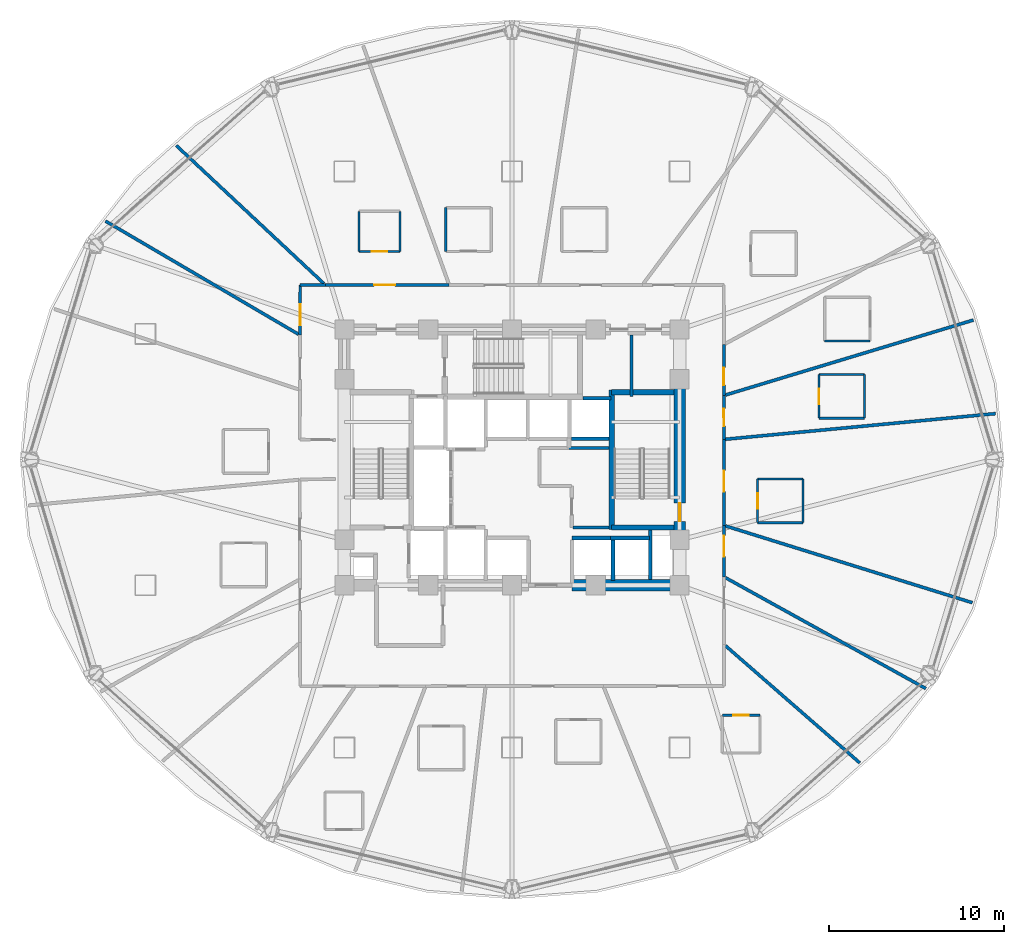
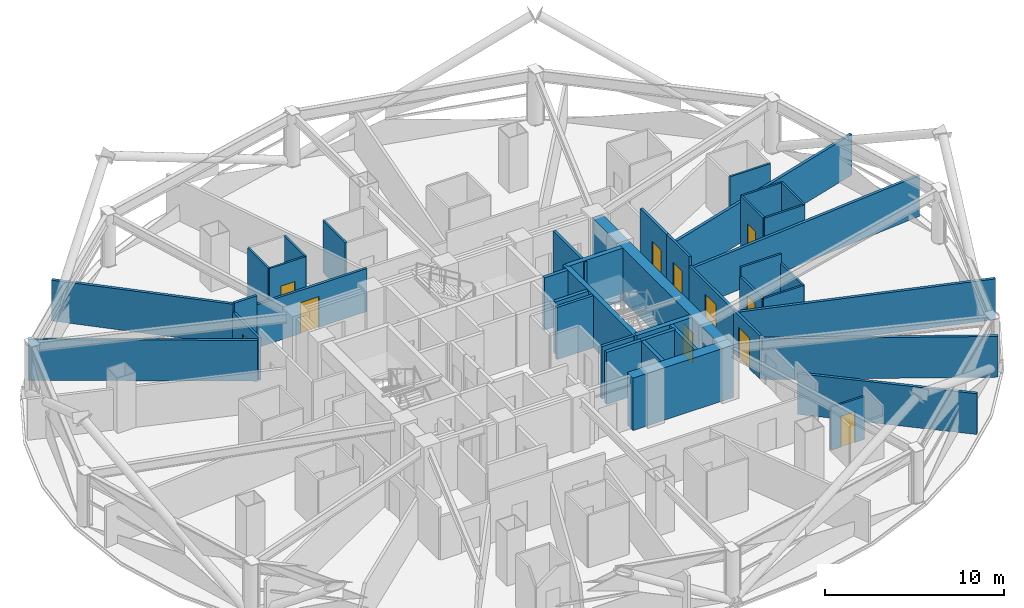
# One storey, part 24 of 30: 42 walls, 11 doors, 11 openings.
"""IFC4 building model written with IfcOpenShell, lengths in metres."""

from ifc_helpers import new_model, si_unit, direction, frame, frame_2d, origin, place, context, subcontext, project, spatial, rectangle, extrude, material, layer, layer_set, type_object, element, fill, save


model = new_model("IFC4")

# Units and contexts
model_context = context("Model", 3, precision=1e-05, world=origin(), true_north=direction((0.0, 1.0)))
body_context = subcontext(model_context, "Body", "Model", "MODEL_VIEW")
ifc_project = project(units=[si_unit("LENGTHUNIT", "METRE"), si_unit("AREAUNIT", "SQUARE_METRE"), si_unit("VOLUMEUNIT", "CUBIC_METRE"), si_unit("PLANEANGLEUNIT", "RADIAN"), si_unit("MASSUNIT", "GRAM", prefix="KILO")], contexts=[model_context])

# Site, building, storey
site_placement = place(None, origin())
site = spatial("IfcSite", under=ifc_project, at=site_placement, CompositionType="ELEMENT")
building_placement = place(site_placement, origin())
building = spatial("IfcBuilding", under=site, at=building_placement, Name="Vantalir Tower", CompositionType="ELEMENT")
storey_placement = place(building_placement, frame((0.0, 0.0, 79.5)))
storey = spatial("IfcBuildingStorey", under=building, at=storey_placement, Name="L19", CompositionType="ELEMENT", Elevation=79.5)

# Walls
ifc_material_1 = material(Name="Moisture-resistant en-suite partition", Category="gypsum")
ifc_layer_1 = layer(ifc_material_1, 0.125)
ifc_layer_set_1 = layer_set([ifc_layer_1], Name="Moisture-resistant en-suite partition")
wall_type_1 = type_object("IfcWallType", Name="WL-BATH-125", PredefinedType="PARTITIONING", material=ifc_layer_set_1)
for number, where, z_axis, x_axis, name in (
    (1, (49.077880859375, 27.366943359375, 0.0), (0.0, 0.0, 1.0), (1.0, 0.0, 0.0), "L19 En-suite 01 South Wall"),
    (2, (49.077880859375, 29.866943359375, 0.0), (0.0, 0.0, 1.0), (1.0, 0.0, 0.0), "L19 En-suite 01 North Wall"),
):
    element("IfcWall", number, at=place(storey_placement, frame(where, z_axis=z_axis, x_axis=x_axis)), inside=storey, type_object=wall_type_1, Name=name, PredefinedType="PARTITIONING", context=body_context, shape_type="SweptSolid", body=[
        extrude(rectangle(XDim=2.60009765625, YDim=0.125, at=frame_2d((1.300048828125, 0.0))), origin(), (0.0, 0.0, 1.0), 3.550048828125),
    ])

# Wall, opening, door
wall_1_placement = place(storey_placement, frame((49.077880859375, 27.366943359375, 0.0), z_axis=(0.0, 0.0, 1.0), x_axis=(0.0, 1.0, 0.0)))
wall_1 = element("IfcWall", 3, at=wall_1_placement, inside=storey, type_object=wall_type_1, Name="L19 En-suite 01 West Wall", PredefinedType="PARTITIONING", context=body_context, shape_type="SweptSolid", body=[
    extrude(rectangle(XDim=2.5, YDim=0.125, at=frame_2d((1.25, 0.0))), origin(), (0.0, 0.0, 1.0), 3.550048828125),
])
opening_1_placement = place(wall_1_placement, frame((0.800048828125, 0.0, 0.0)))
opening_1 = element("IfcOpeningElement", 4, at=opening_1_placement, cuts=wall_1, Name="Opening D-WC", PredefinedType="OPENING", context=body_context, shape_type="SweptSolid", body=[
    extrude(rectangle(XDim=0.89990234375, YDim=2.10009765625, at=frame_2d((0.449951171875, 1.050048828125))), frame((0.0, 0.072509765625, 0.0), z_axis=(0.0, -1.0, 0.0), x_axis=(1.0, 0.0, 0.0)), (0.0, 0.0, 1.0), 0.14501953125),
])
ifc_material_2 = material(Name="Moisture-resistant hardwood door", Category="wood")
door_type_1 = type_object("IfcDoorType", Name="DR-ENSUITE-900", OperationType="NOTDEFINED", PredefinedType="DOOR", material=ifc_material_2)
door_1_placement = place(opening_1_placement, frame((0.89990234375, 0.0, 0.0), z_axis=(0.0, 0.0, 1.0), x_axis=(-1.0, 0.0, 0.0)))
door_1 = element("IfcDoor", 5, at=door_1_placement, inside=storey, type_object=door_type_1, Name="L19 En-suite 01 Door", OperationType="SINGLE_SWING_LEFT", OverallHeight=2.10009765625, OverallWidth=0.89990234375, PredefinedType="DOOR", context=body_context, shape_type="SweptSolid", body=[
    extrude(rectangle(XDim=0.89990234375, YDim=2.10009765625, at=frame_2d((0.449951171875, 1.050048828125))), frame((0.0, 0.02490234375, 0.0), z_axis=(0.0, -1.0, 0.0), x_axis=(1.0, 0.0, 0.0)), (0.0, 0.0, 1.0), 0.050048828125),
])
fill(opening_1, door_1)

# Walls
wall_2_placement = place(storey_placement, frame((51.677978515625, 27.366943359375, 0.0), z_axis=(0.0, 0.0, 1.0), x_axis=(0.0, 1.0, 0.0)))
element("IfcWall", 6, at=wall_2_placement, inside=storey, type_object=wall_type_1, Name="L19 En-suite 01 East Wall", PredefinedType="PARTITIONING", context=body_context, shape_type="SweptSolid", body=[
    extrude(rectangle(XDim=2.5, YDim=0.125, at=frame_2d((1.25, 0.0))), origin(), (0.0, 0.0, 1.0), 3.550048828125),
])
wall_3_placement = place(storey_placement, frame((49.408935546875, 31.794921875, 0.0), z_axis=(0.0, 0.0, 1.0), x_axis=(1.0, 0.0, 0.0)))
element("IfcWall", 7, at=wall_3_placement, inside=storey, type_object=wall_type_1, Name="L19 En-suite 02 South Wall", PredefinedType="PARTITIONING", context=body_context, shape_type="SweptSolid", body=[
    extrude(rectangle(XDim=2.60009765625, YDim=0.125, at=frame_2d((1.300048828125, 0.0))), origin(), (0.0, 0.0, 1.0), 3.550048828125),
])
wall_4_placement = place(storey_placement, frame((27.708984375, 36.919921875, 0.0), z_axis=(0.0, 0.0, 1.0), x_axis=(0.0, 1.0, 0.0)))
element("IfcWall", 8, at=wall_4_placement, inside=storey, type_object=wall_type_1, Name="L19 En-suite 05 West Wall", PredefinedType="PARTITIONING", context=body_context, shape_type="SweptSolid", body=[
    extrude(rectangle(XDim=2.5, YDim=0.125, at=frame_2d((1.25, 0.0))), origin(), (0.0, 0.0, 1.0), 3.550048828125),
])

# Wall, opening, door
wall_5_placement = place(storey_placement, frame((22.742919921875, 36.9130859375, 0.0), z_axis=(0.0, 0.0, 1.0), x_axis=(1.0, 0.0, 0.0)))
wall_5 = element("IfcWall", 9, at=wall_5_placement, inside=storey, type_object=wall_type_1, Name="L19 En-suite 06 South Wall", PredefinedType="PARTITIONING", context=body_context, shape_type="SweptSolid", body=[
    extrude(rectangle(XDim=2.35009765625, YDim=0.125, at=frame_2d((1.175048828125, 0.0))), origin(), (0.0, 0.0, 1.0), 3.550048828125),
])
opening_2_placement = place(wall_5_placement, frame((0.72509765625, 0.0, 0.0)))
opening_2 = element("IfcOpeningElement", 10, at=opening_2_placement, cuts=wall_5, Name="Opening D-WC", PredefinedType="OPENING", context=body_context, shape_type="SweptSolid", body=[
    extrude(rectangle(XDim=0.89990234375, YDim=2.10009765625, at=frame_2d((0.449951171875, 1.050048828125))), frame((0.0, 0.072509765625, 0.0), z_axis=(0.0, -1.0, 0.0), x_axis=(1.0, 0.0, 0.0)), (0.0, 0.0, 1.0), 0.14501953125),
])
door_2_placement = place(opening_2_placement, origin())
door_2 = element("IfcDoor", 11, at=door_2_placement, inside=storey, type_object=door_type_1, Name="L19 En-suite 06 Door", OperationType="SINGLE_SWING_RIGHT", OverallHeight=2.10009765625, OverallWidth=0.89990234375, PredefinedType="DOOR", context=body_context, shape_type="SweptSolid", body=[
    extrude(rectangle(XDim=0.89990234375, YDim=2.10009765625, at=frame_2d((0.449951171875, 1.050048828125))), frame((0.0, 0.02490234375, 0.0), z_axis=(0.0, -1.0, 0.0), x_axis=(1.0, 0.0, 0.0)), (0.0, 0.0, 1.0), 0.050048828125),
])
fill(opening_2, door_2)

# Walls
for number, where, z_axis, x_axis, name in (
    (12, (22.742919921875, 36.9130859375, 0.0), (0.0, 0.0, 1.0), (0.0, 1.0, 0.0), "L19 En-suite 06 West Wall"),
    (13, (25.093017578125, 36.9130859375, 0.0), (0.0, 0.0, 1.0), (0.0, 1.0, 0.0), "L19 En-suite 06 East Wall"),
):
    element("IfcWall", number, at=place(storey_placement, frame(where, z_axis=z_axis, x_axis=x_axis)), inside=storey, type_object=wall_type_1, Name=name, PredefinedType="PARTITIONING", context=body_context, shape_type="SweptSolid", body=[
        extrude(rectangle(XDim=2.2998046875, YDim=0.125, at=frame_2d((1.14990234375, 0.0))), origin(), (0.0, 0.0, 1.0), 3.550048828125),
    ])

# Wall, opening, door
wall_6_placement = place(storey_placement, frame((43.544921875, 10.35205078125, 0.0), z_axis=(0.0, 0.0, 1.0), x_axis=(1.0, 0.0, 0.0)))
wall_6 = element("IfcWall", 14, at=wall_6_placement, inside=storey, type_object=wall_type_1, Name="L19 En-suite 16 North Wall", PredefinedType="PARTITIONING", context=body_context, shape_type="SweptSolid", body=[
    extrude(rectangle(XDim=2.150146484375, YDim=0.125, at=frame_2d((1.0751953125, 0.0))), origin(), (0.0, 0.0, 1.0), 2.927978515625),
])
opening_3_placement = place(wall_6_placement, frame((0.625, 0.0, 0.0)))
opening_3 = element("IfcOpeningElement", 15, at=opening_3_placement, cuts=wall_6, Name="Opening D-WC", PredefinedType="OPENING", context=body_context, shape_type="SweptSolid", body=[
    extrude(rectangle(XDim=0.89990234375, YDim=2.10009765625, at=frame_2d((0.449951171875, 1.050048828125))), frame((0.0, 0.072509765625, 0.0), z_axis=(0.0, -1.0, 0.0), x_axis=(1.0, 0.0, 0.0)), (0.0, 0.0, 1.0), 0.14501953125),
])
door_3_placement = place(opening_3_placement, frame((0.89990234375, 0.0, 0.0), z_axis=(0.0, 0.0, 1.0), x_axis=(-1.0, 0.0, 0.0)))
door_3 = element("IfcDoor", 16, at=door_3_placement, inside=storey, type_object=door_type_1, Name="L19 En-suite 16 Door", OperationType="SINGLE_SWING_RIGHT", OverallHeight=2.10009765625, OverallWidth=0.89990234375, PredefinedType="DOOR", context=body_context, shape_type="SweptSolid", body=[
    extrude(rectangle(XDim=0.89990234375, YDim=2.10009765625, at=frame_2d((0.449951171875, 1.050048828125))), frame((0.0, 0.02490234375, 0.0), z_axis=(0.0, -1.0, 0.0), x_axis=(1.0, 0.0, 0.0)), (0.0, 0.0, 1.0), 0.050048828125),
])
fill(opening_3, door_3)

# Walls
wall_7_placement = place(storey_placement, frame((45.56689453125, 21.3798828125, 0.0), z_axis=(0.0, 0.0, 1.0), x_axis=(1.0, 0.0, 0.0)))
element("IfcWall", 17, at=wall_7_placement, inside=storey, type_object=wall_type_1, Name="L19 En-suite 19 South Wall", PredefinedType="PARTITIONING", context=body_context, shape_type="SweptSolid", body=[
    extrude(rectangle(XDim=2.60009765625, YDim=0.125, at=frame_2d((1.300048828125, 0.0))), origin(), (0.0, 0.0, 1.0), 2.927978515625),
])
wall_8_placement = place(storey_placement, frame((45.56689453125, 23.8798828125, 0.0), z_axis=(0.0, 0.0, 1.0), x_axis=(1.0, 0.0, 0.0)))
element("IfcWall", 18, at=wall_8_placement, inside=storey, type_object=wall_type_1, Name="L19 En-suite 19 North Wall", PredefinedType="PARTITIONING", context=body_context, shape_type="SweptSolid", body=[
    extrude(rectangle(XDim=2.60009765625, YDim=0.125, at=frame_2d((1.300048828125, 0.0))), origin(), (0.0, 0.0, 1.0), 3.550048828125),
])

# Wall, opening, door
wall_9_placement = place(storey_placement, frame((45.56689453125, 21.3798828125, 0.0), z_axis=(0.0, 0.0, 1.0), x_axis=(0.0, 1.0, 0.0)))
wall_9 = element("IfcWall", 19, at=wall_9_placement, inside=storey, type_object=wall_type_1, Name="L19 En-suite 19 West Wall", PredefinedType="PARTITIONING", context=body_context, shape_type="SweptSolid", body=[
    extrude(rectangle(XDim=2.5, YDim=0.125, at=frame_2d((1.25, 0.0))), origin(), (0.0, 0.0, 1.0), 2.927978515625),
])
opening_4_placement = place(wall_9_placement, frame((0.800048828125, 0.0, 0.0)))
opening_4 = element("IfcOpeningElement", 20, at=opening_4_placement, cuts=wall_9, Name="Opening D-WC", PredefinedType="OPENING", context=body_context, shape_type="SweptSolid", body=[
    extrude(rectangle(XDim=0.89990234375, YDim=2.10009765625, at=frame_2d((0.449951171875, 1.050048828125))), frame((0.0, 0.072509765625, 0.0), z_axis=(0.0, -1.0, 0.0), x_axis=(1.0, 0.0, 0.0)), (0.0, 0.0, 1.0), 0.14501953125),
])
door_4_placement = place(opening_4_placement, frame((0.89990234375, 0.0, 0.0), z_axis=(0.0, 0.0, 1.0), x_axis=(-1.0, 0.0, 0.0)))
door_4 = element("IfcDoor", 21, at=door_4_placement, inside=storey, type_object=door_type_1, Name="L19 En-suite 19 Door", OperationType="SINGLE_SWING_LEFT", OverallHeight=2.10009765625, OverallWidth=0.89990234375, PredefinedType="DOOR", context=body_context, shape_type="SweptSolid", body=[
    extrude(rectangle(XDim=0.89990234375, YDim=2.10009765625, at=frame_2d((0.449951171875, 1.050048828125))), frame((0.0, 0.02490234375, 0.0), z_axis=(0.0, -1.0, 0.0), x_axis=(1.0, 0.0, 0.0)), (0.0, 0.0, 1.0), 0.050048828125),
])
fill(opening_4, door_4)

# Walls
wall_10_placement = place(storey_placement, frame((48.1669921875, 21.3798828125, 0.0), z_axis=(0.0, 0.0, 1.0), x_axis=(0.0, 1.0, 0.0)))
element("IfcWall", 22, at=wall_10_placement, inside=storey, type_object=wall_type_1, Name="L19 En-suite 19 East Wall", PredefinedType="PARTITIONING", context=body_context, shape_type="SweptSolid", body=[
    extrude(rectangle(XDim=2.5, YDim=0.125, at=frame_2d((1.25, 0.0))), origin(), (0.0, 0.0, 1.0), 2.927978515625),
])
ifc_material_3 = material(Name="Concrete C60/75", Category="concrete")
ifc_layer_2 = layer(ifc_material_3, 0.64990234375)
ifc_layer_set_2 = layer_set([ifc_layer_2], Name="Concrete C60/75")
wall_type_2 = type_object("IfcWallType", Name="WL-CORE-650", PredefinedType="SHEAR", material=ifc_layer_set_2)
wall_11_placement = place(storey_placement, frame((34.949951171875, 17.800048828125, 0.0), z_axis=(0.0, 0.0, 1.0), x_axis=(1.0, 0.0, 0.0)))
element("IfcWall", 23, at=wall_11_placement, inside=storey, type_object=wall_type_2, Name="L19 Core Shear Wall South-East", PredefinedType="SHEAR", context=body_context, shape_type="SweptSolid", body=[
    extrude(rectangle(XDim=6.47509765625, YDim=0.64990234375, at=frame_2d((3.237548828125, 0.0))), origin(), (0.0, 0.0, 1.0), 3.570068359375),
])

# Wall, opening, door
wall_12_placement = place(storey_placement, frame((41.10009765625, 18.125, 0.0), z_axis=(0.0, 0.0, 1.0), x_axis=(0.0, 1.0, 0.0)))
wall_12 = element("IfcWall", 24, at=wall_12_placement, inside=storey, type_object=wall_type_2, Name="L19 Core Shear Wall East", PredefinedType="SHEAR", context=body_context, shape_type="SweptSolid", body=[
    extrude(rectangle(XDim=14.0, YDim=0.64990234375, at=frame_2d((7.0, 0.0))), origin(), (0.0, 0.0, 1.0), 3.570068359375),
])
opening_5_placement = place(wall_12_placement, frame((3.3349609375, 0.0, 0.0)))
opening_5 = element("IfcOpeningElement", 25, at=opening_5_placement, cuts=wall_12, Name="Opening D-ST", PredefinedType="OPENING", context=body_context, shape_type="SweptSolid", body=[
    extrude(rectangle(XDim=1.050048828125, YDim=2.10009765625, at=frame_2d((0.52490234375, 1.050048828125))), frame((0.0, 0.3349609375, 0.0), z_axis=(0.0, -1.0, 0.0), x_axis=(1.0, 0.0, 0.0)), (0.0, 0.0, 1.0), 0.669921875),
])
ifc_material_4 = material(Name="Fire-rated steel door leaf", Category="steel")
door_type_2 = type_object("IfcDoorType", Name="DR-FIRE-STAIR-1050", OperationType="NOTDEFINED", PredefinedType="DOOR", material=ifc_material_4)
door_5_placement = place(opening_5_placement, origin())
door_5 = element("IfcDoor", 26, at=door_5_placement, inside=storey, type_object=door_type_2, Name="L19 Exit Stair ST2 Fire Door", OperationType="SINGLE_SWING_LEFT", OverallHeight=2.10009765625, OverallWidth=1.050048828125, PredefinedType="DOOR", context=body_context, shape_type="SweptSolid", body=[
    extrude(rectangle(XDim=1.050048828125, YDim=2.10009765625, at=frame_2d((0.52490234375, 1.050048828125))), frame((0.0, 0.02490234375, 0.0), z_axis=(0.0, -1.0, 0.0), x_axis=(1.0, 0.0, 0.0)), (0.0, 0.0, 1.0), 0.050048828125),
])
fill(opening_5, door_5)

ifc_material_5 = material(Name="Fire-rated hotel corridor acoustic partition", Category="gypsum")
ifc_layer_3 = layer(ifc_material_5, 0.159912109375)
ifc_layer_set_3 = layer_set([ifc_layer_3], Name="Fire-rated hotel corridor acoustic partition")
wall_type_3 = type_object("IfcWallType", Name="WL-CORR-160", PredefinedType="PARTITIONING", material=ifc_layer_set_3)
wall_13_placement = place(storey_placement, frame((19.362060546875, 32.118896484375, 0.0), z_axis=(0.0, 0.0, 1.0), x_axis=(0.002374283141, 0.999997181386, 0.0)))
wall_13 = element("IfcWall", 27, at=wall_13_placement, inside=storey, type_object=wall_type_3, Name="L19 Corridor Partition 04", PredefinedType="PARTITIONING", context=body_context, shape_type="SweptSolid", body=[
    extrude(rectangle(XDim=2.879150390625, YDim=0.159912109375, at=frame_2d((1.439453125, 0.0))), origin(), (0.0, 0.0, 1.0), 2.927978515625),
])
opening_6_placement = place(wall_13_placement, frame((0.568115234375, 0.0, 0.0)))
opening_6 = element("IfcOpeningElement", 28, at=opening_6_placement, cuts=wall_13, Name="Opening D-STE", PredefinedType="OPENING", context=body_context, shape_type="SweptSolid", body=[
    extrude(rectangle(XDim=1.199951171875, YDim=2.10009765625, at=frame_2d((0.60009765625, 1.050048828125))), frame((0.0, 0.08984375, 0.0), z_axis=(0.0, -1.0, 0.0), x_axis=(1.0, 0.0, 0.0)), (0.0, 0.0, 1.0), 0.179931640625),
])
ifc_material_6 = material(Name="Solid-core teak veneer suite entrance door", Category="wood")
door_type_3 = type_object("IfcDoorType", Name="DR-SUITE-ENTRY-1200", OperationType="NOTDEFINED", PredefinedType="DOOR", material=ifc_material_6)
door_6_placement = place(opening_6_placement, origin())
door_6 = element("IfcDoor", 29, at=door_6_placement, inside=storey, type_object=door_type_3, Name="L19 Club Reading Lounge 07 Door", OperationType="SINGLE_SWING_LEFT", OverallHeight=2.10009765625, OverallWidth=1.199951171875, PredefinedType="DOOR", context=body_context, shape_type="SweptSolid", body=[
    extrude(rectangle(XDim=1.199951171875, YDim=2.10009765625, at=frame_2d((0.60009765625, 1.050048828125))), frame((0.0, 0.02490234375, 0.0), z_axis=(0.0, -1.0, 0.0), x_axis=(1.0, 0.0, 0.0)), (0.0, 0.0, 1.0), 0.050048828125),
])
fill(opening_6, door_6)

# Wall
wall_14_placement = place(storey_placement, frame((19.368896484375, 34.998046875, 0.0), z_axis=(0.0, 0.0, 1.0), x_axis=(1.0, 0.0, 0.0)))
element("IfcWall", 30, at=wall_14_placement, inside=storey, type_object=wall_type_3, Name="L19 Corridor Partition 05", PredefinedType="PARTITIONING", context=body_context, shape_type="SweptSolid", body=[
    extrude(rectangle(XDim=1.442138671875, YDim=0.159912109375, at=frame_2d((0.72119140625, 0.0))), origin(), (0.0, 0.0, 1.0), 3.550048828125),
])

# Wall, opening, door
wall_15_placement = place(storey_placement, frame((20.81103515625, 34.998046875, 0.0), z_axis=(0.0, 0.0, 1.0), x_axis=(1.0, 0.0, 0.0)))
wall_15 = element("IfcWall", 31, at=wall_15_placement, inside=storey, type_object=wall_type_3, Name="L19 Corridor Partition 06", PredefinedType="PARTITIONING", context=body_context, shape_type="SweptSolid", body=[
    extrude(rectangle(XDim=7.092041015625, YDim=0.159912109375, at=frame_2d((3.5458984375, 0.0))), origin(), (0.0, 0.0, 1.0), 2.927978515625),
])
opening_7_placement = place(wall_15_placement, frame((2.799072265625, 0.0, 0.0)))
opening_7 = element("IfcOpeningElement", 32, at=opening_7_placement, cuts=wall_15, Name="Opening D-STE", PredefinedType="OPENING", context=body_context, shape_type="SweptSolid", body=[
    extrude(rectangle(XDim=1.199951171875, YDim=2.10009765625, at=frame_2d((0.60009765625, 1.050048828125))), frame((0.0, 0.08984375, 0.0), z_axis=(0.0, -1.0, 0.0), x_axis=(1.0, 0.0, 0.0)), (0.0, 0.0, 1.0), 0.179931640625),
])
door_7_placement = place(opening_7_placement, origin())
door_7 = element("IfcDoor", 33, at=door_7_placement, inside=storey, type_object=door_type_3, Name="L19 Corner Panorama Hotel Suite 06 Door", OperationType="SINGLE_SWING_RIGHT", OverallHeight=2.10009765625, OverallWidth=1.199951171875, PredefinedType="DOOR", context=body_context, shape_type="SweptSolid", body=[
    extrude(rectangle(XDim=1.199951171875, YDim=2.10009765625, at=frame_2d((0.60009765625, 1.050048828125))), frame((0.0, 0.02490234375, 0.0), z_axis=(0.0, -1.0, 0.0), x_axis=(1.0, 0.0, 0.0)), (0.0, 0.0, 1.0), 0.050048828125),
])
fill(opening_7, door_7)

wall_16_placement = place(storey_placement, frame((43.634033203125, 31.5849609375, 0.0), z_axis=(0.0, 0.0, 1.0), x_axis=(0.000669567978, -0.999999775839, 0.0)))
wall_16 = element("IfcWall", 34, at=wall_16_placement, inside=storey, type_object=wall_type_3, Name="L19 Corridor Partition 11", PredefinedType="PARTITIONING", context=body_context, shape_type="SweptSolid", body=[
    extrude(rectangle(XDim=2.9169921875, YDim=0.159912109375, at=frame_2d((1.45849609375, 0.0))), origin(), (0.0, 0.0, 1.0), 3.550048828125),
])
opening_8_placement = place(wall_16_placement, frame((1.321044921875, 0.0, 0.0)))
opening_8 = element("IfcOpeningElement", 35, at=opening_8_placement, cuts=wall_16, Name="Opening D-GUEST", PredefinedType="OPENING", context=body_context, shape_type="SweptSolid", body=[
    extrude(rectangle(XDim=1.0, YDim=2.10009765625, at=frame_2d((0.5, 1.050048828125))), frame((0.0, 0.08984375, 0.0), z_axis=(0.0, -1.0, 0.0), x_axis=(1.0, 0.0, 0.0)), (0.0, 0.0, 1.0), 0.179931640625),
])
ifc_material_7 = material(Name="Solid-core teak veneer acoustic fire door", Category="wood")
door_type_4 = type_object("IfcDoorType", Name="DR-GUEST-ENTRY-1000", OperationType="NOTDEFINED", PredefinedType="DOOR", material=ifc_material_7)
door_8_placement = place(opening_8_placement, origin())
door_8 = element("IfcDoor", 36, at=door_8_placement, inside=storey, type_object=door_type_4, Name="L19 Deluxe King Hotel Room 02 Door", OperationType="SINGLE_SWING_RIGHT", OverallHeight=2.10009765625, OverallWidth=1.0, PredefinedType="DOOR", context=body_context, shape_type="SweptSolid", body=[
    extrude(rectangle(XDim=1.0, YDim=2.10009765625, at=frame_2d((0.5, 1.050048828125))), frame((0.0, 0.02490234375, 0.0), z_axis=(0.0, -1.0, 0.0), x_axis=(1.0, 0.0, 0.0)), (0.0, 0.0, 1.0), 0.050048828125),
])
fill(opening_8, door_8)

wall_17_placement = place(storey_placement, frame((43.635986328125, 28.66796875, 0.0), z_axis=(0.0, 0.0, 1.0), x_axis=(0.00077632194, -0.999999698662, 0.0)))
wall_17 = element("IfcWall", 37, at=wall_17_placement, inside=storey, type_object=wall_type_3, Name="L19 Corridor Partition 12", PredefinedType="PARTITIONING", context=body_context, shape_type="SweptSolid", body=[
    extrude(rectangle(XDim=2.515869140625, YDim=0.159912109375, at=frame_2d((1.2578125, 0.0))), origin(), (0.0, 0.0, 1.0), 3.550048828125),
])
opening_9_placement = place(wall_17_placement, frame((0.758056640625, 0.0, 0.0)))
opening_9 = element("IfcOpeningElement", 38, at=opening_9_placement, cuts=wall_17, Name="Opening D-GUEST", PredefinedType="OPENING", context=body_context, shape_type="SweptSolid", body=[
    extrude(rectangle(XDim=1.0, YDim=2.10009765625, at=frame_2d((0.5, 1.050048828125))), frame((0.0, 0.08984375, 0.0), z_axis=(0.0, -1.0, 0.0), x_axis=(1.0, 0.0, 0.0)), (0.0, 0.0, 1.0), 0.179931640625),
])
door_9_placement = place(opening_9_placement, origin())
door_9 = element("IfcDoor", 39, at=door_9_placement, inside=storey, type_object=door_type_4, Name="L19 Twin Queen Hotel Room 01 Door", OperationType="SINGLE_SWING_LEFT", OverallHeight=2.10009765625, OverallWidth=1.0, PredefinedType="DOOR", context=body_context, shape_type="SweptSolid", body=[
    extrude(rectangle(XDim=1.0, YDim=2.10009765625, at=frame_2d((0.5, 1.050048828125))), frame((0.0, 0.02490234375, 0.0), z_axis=(0.0, -1.0, 0.0), x_axis=(1.0, 0.0, 0.0)), (0.0, 0.0, 1.0), 0.050048828125),
])
fill(opening_9, door_9)

wall_18_placement = place(storey_placement, frame((43.637939453125, 26.152099609375, 0.0), z_axis=(0.0, 0.0, 1.0), x_axis=(0.000644042472, -0.999999792605, 0.0)))
wall_18 = element("IfcWall", 40, at=wall_18_placement, inside=storey, type_object=wall_type_3, Name="L19 Corridor Partition 13", PredefinedType="PARTITIONING", context=body_context, shape_type="SweptSolid", body=[
    extrude(rectangle(XDim=4.927978515625, YDim=0.159912109375, at=frame_2d((2.4638671875, 0.0))), origin(), (0.0, 0.0, 1.0), 2.927978515625),
])
opening_10_placement = place(wall_18_placement, frame((1.7900390625, 0.0, 0.0)))
opening_10 = element("IfcOpeningElement", 41, at=opening_10_placement, cuts=wall_18, Name="Opening D-STE", PredefinedType="OPENING", context=body_context, shape_type="SweptSolid", body=[
    extrude(rectangle(XDim=1.199951171875, YDim=2.10009765625, at=frame_2d((0.60009765625, 1.050048828125))), frame((0.0, 0.08984375, 0.0), z_axis=(0.0, -1.0, 0.0), x_axis=(1.0, 0.0, 0.0)), (0.0, 0.0, 1.0), 0.179931640625),
])
door_10_placement = place(opening_10_placement, origin())
door_10 = element("IfcDoor", 42, at=door_10_placement, inside=storey, type_object=door_type_3, Name="L19 Executive Club Hotel Suite 19 Door", OperationType="SINGLE_SWING_LEFT", OverallHeight=2.10009765625, OverallWidth=1.199951171875, PredefinedType="DOOR", context=body_context, shape_type="SweptSolid", body=[
    extrude(rectangle(XDim=1.199951171875, YDim=2.10009765625, at=frame_2d((0.60009765625, 1.050048828125))), frame((0.0, 0.02490234375, 0.0), z_axis=(0.0, -1.0, 0.0), x_axis=(1.0, 0.0, 0.0)), (0.0, 0.0, 1.0), 0.050048828125),
])
fill(opening_10, door_10)

wall_19_placement = place(storey_placement, frame((43.64111328125, 21.22412109375, 0.0), z_axis=(0.0, 0.0, 1.0), x_axis=(0.0006631848, -0.999999780093, 0.0)))
wall_19 = element("IfcWall", 43, at=wall_19_placement, inside=storey, type_object=wall_type_3, Name="L19 Corridor Partition 14", PredefinedType="PARTITIONING", context=body_context, shape_type="SweptSolid", body=[
    extrude(rectangle(XDim=2.945068359375, YDim=0.159912109375, at=frame_2d((1.47265625, 0.0))), origin(), (0.0, 0.0, 1.0), 2.927978515625),
])
opening_11_placement = place(wall_19_placement, frame((0.587890625, 0.0, 0.0)))
opening_11 = element("IfcOpeningElement", 44, at=opening_11_placement, cuts=wall_19, Name="Opening D-STE", PredefinedType="OPENING", context=body_context, shape_type="SweptSolid", body=[
    extrude(rectangle(XDim=1.199951171875, YDim=2.10009765625, at=frame_2d((0.60009765625, 1.050048828125))), frame((0.0, 0.08984375, 0.0), z_axis=(0.0, -1.0, 0.0), x_axis=(1.0, 0.0, 0.0)), (0.0, 0.0, 1.0), 0.179931640625),
])
door_11_placement = place(opening_11_placement, origin())
door_11 = element("IfcDoor", 45, at=door_11_placement, inside=storey, type_object=door_type_3, Name="L19 Executive Sky Boardroom 18 Door", OperationType="SINGLE_SWING_RIGHT", OverallHeight=2.10009765625, OverallWidth=1.199951171875, PredefinedType="DOOR", context=body_context, shape_type="SweptSolid", body=[
    extrude(rectangle(XDim=1.199951171875, YDim=2.10009765625, at=frame_2d((0.60009765625, 1.050048828125))), frame((0.0, 0.02490234375, 0.0), z_axis=(0.0, -1.0, 0.0), x_axis=(1.0, 0.0, 0.0)), (0.0, 0.0, 1.0), 0.050048828125),
])
fill(opening_11, door_11)

# Walls
ifc_material_8 = material(Name="Concrete blockwork with fireboard lining", Category="masonry")
ifc_layer_4 = layer(ifc_material_8, 0.219970703125)
ifc_layer_set_4 = layer_set([ifc_layer_4], Name="Concrete blockwork with fireboard lining")
wall_type_4 = type_object("IfcWallType", Name="WL-FFL-220", PredefinedType="PARTITIONING", material=ifc_layer_set_4)
wall_20_placement = place(storey_placement, frame((37.27490234375, 18.080078125, 0.0), z_axis=(0.0, 0.0, 1.0), x_axis=(0.0, 1.0, 0.0)))
element("IfcWall", 46, at=wall_20_placement, inside=storey, type_object=wall_type_4, Name="L19 Shuttle Lift PL-X2/X3 Shaft Divider", PredefinedType="PARTITIONING", context=body_context, shape_type="SweptSolid", body=[
    extrude(rectangle(XDim=2.309814453125, YDim=0.219970703125, at=frame_2d((1.15478515625, 0.0))), origin(), (0.0, 0.0, 1.0), 3.544921875),
])
wall_21_placement = place(storey_placement, frame((34.909912109375, 26.18994140625, 0.0), z_axis=(0.0, 0.0, 1.0), x_axis=(1.0, 0.0, 0.0)))
element("IfcWall", 47, at=wall_21_placement, inside=storey, type_object=wall_type_4, Name="L19 High-Rise Lift PL-H3 Rear Shaft Wall", PredefinedType="PARTITIONING", context=body_context, shape_type="SweptSolid", body=[
    extrude(rectangle(XDim=2.14013671875, YDim=0.219970703125, at=frame_2d((1.070068359375, 0.0))), origin(), (0.0, 0.0, 1.0), 3.544921875),
])
wall_22_placement = place(storey_placement, frame((39.419921875, 18.125, 0.0), z_axis=(0.0, 0.0, 1.0), x_axis=(0.0, 1.0, 0.0)))
element("IfcWall", 48, at=wall_22_placement, inside=storey, type_object=wall_type_4, Name="L19 East MEP Riser Wall W", PredefinedType="PARTITIONING", context=body_context, shape_type="SweptSolid", body=[
    extrude(rectangle(XDim=2.824951171875, YDim=0.219970703125, at=frame_2d((1.41259765625, 0.0))), origin(), (0.0, 0.0, 1.0), 3.550048828125),
])
for number, where, z_axis, x_axis, name in (
    (49, (37.139892578125, 20.510009765625, 0.0), (0.0, 0.0, 1.0), (1.0, 0.0, 0.0), "L19 Lift PL-X2 Shaft Rear Wall"),
    (50, (34.93994140625, 20.510009765625, 0.0), (0.0, 0.0, 1.0), (1.0, 0.0, 0.0), "L19 Lift PL-X3 Shaft Front Wall"),
):
    element("IfcWall", number, at=place(storey_placement, frame(where, z_axis=z_axis, x_axis=x_axis)), inside=storey, type_object=wall_type_4, Name=name, PredefinedType="PARTITIONING", context=body_context, shape_type="SweptSolid", body=[
        extrude(rectangle(XDim=2.239990234375, YDim=0.219970703125, at=frame_2d((1.1201171875, 0.0))), origin(), (0.0, 0.0, 1.0), 3.550048828125),
    ])
wall_23_placement = place(storey_placement, frame((35.56005859375, 28.510009765625, 0.0), z_axis=(0.0, 0.0, 1.0), x_axis=(1.0, 0.0, 0.0)))
element("IfcWall", 51, at=wall_23_placement, inside=storey, type_object=wall_type_4, Name="L19 Lift PL-H3 Shaft Front Wall", PredefinedType="PARTITIONING", context=body_context, shape_type="SweptSolid", body=[
    extrude(rectangle(XDim=1.599853515625, YDim=0.219970703125, at=frame_2d((0.7998046875, 0.0))), origin(), (0.0, 0.0, 1.0), 3.550048828125),
])
ifc_material_9 = material(Name="Twin-stud acoustic fire-rated gypsum partition", Category="gypsum")
ifc_layer_5 = layer(ifc_material_9, 0.179931640625)
ifc_layer_set_5 = layer_set([ifc_layer_5], Name="Twin-stud acoustic fire-rated gypsum partition")
wall_type_5 = type_object("IfcWallType", Name="WL-GUEST-180", PredefinedType="PARTITIONING", material=ifc_layer_set_5)
wall_24_placement = place(storey_placement, frame((34.97998046875, 21.10009765625, 0.0), z_axis=(0.0, 0.0, 1.0), x_axis=(1.0, 0.0, 0.0)))
element("IfcWall", 52, at=wall_24_placement, inside=storey, type_object=wall_type_5, Name="L19 Freed East Core South Wall", PredefinedType="PARTITIONING", context=body_context, shape_type="SweptSolid", body=[
    extrude(rectangle(XDim=2.080078125, YDim=0.179931640625, at=frame_2d((1.0400390625, 0.0))), origin(), (0.0, 0.0, 1.0), 3.550048828125),
])
wall_25_placement = place(storey_placement, frame((34.719970703125, 25.64990234375, 0.0), z_axis=(0.0, 0.0, 1.0), x_axis=(1.0, 0.0, 0.0)))
element("IfcWall", 53, at=wall_25_placement, inside=storey, type_object=wall_type_5, Name="L19 Freed East Core North Wall", PredefinedType="PARTITIONING", context=body_context, shape_type="SweptSolid", body=[
    extrude(rectangle(XDim=2.340087890625, YDim=0.179931640625, at=frame_2d((1.169921875, 0.0))), origin(), (0.0, 0.0, 1.0), 3.550048828125),
])
wall_26_placement = place(storey_placement, frame((38.340087890625, 28.6201171875, 0.0), z_axis=(0.0, 0.0, 1.0), x_axis=(0.0, 1.0, 0.0)))
element("IfcWall", 54, at=wall_26_placement, inside=storey, type_object=wall_type_5, Name="L19 High-Rise Lift Lobby East Wall", PredefinedType="PARTITIONING", context=body_context, shape_type="SweptSolid", body=[
    extrude(rectangle(XDim=3.5048828125, YDim=0.179931640625, at=frame_2d((1.75244140625, 0.0))), origin(), (0.0, 0.0, 1.0), 3.550048828125),
])
wall_27_placement = place(storey_placement, frame((43.72802734375, 26.160888671875, 0.0), z_axis=(0.0, 0.0, 1.0), x_axis=(0.995524176843, 0.094507213062, 0.0)))
element("IfcWall", 55, at=wall_27_placement, inside=storey, type_object=wall_type_5, Name="L19 Radial Suite Partition 01", PredefinedType="PARTITIONING", context=body_context, shape_type="SweptSolid", body=[
    extrude(rectangle(XDim=15.533447265625, YDim=0.179931640625, at=frame_2d((7.7666015625, 0.0))), origin(), (0.0, 0.0, 1.0), 2.77490234375),
])
wall_28_placement = place(storey_placement, frame((43.72802734375, 28.695068359375, 0.0), z_axis=(0.0, 0.0, 1.0), x_axis=(0.957224891777, 0.289344961183, 0.0)))
element("IfcWall", 56, at=wall_28_placement, inside=storey, type_object=wall_type_5, Name="L19 Radial Suite Partition 02", PredefinedType="PARTITIONING", context=body_context, shape_type="SweptSolid", body=[
    extrude(rectangle(XDim=14.83349609375, YDim=0.179931640625, at=frame_2d((7.416748046875, 0.0))), origin(), (0.0, 0.0, 1.0), 2.77490234375),
])
wall_29_placement = place(storey_placement, frame((20.72607421875, 35.077880859375, 0.0), z_axis=(0.0, 0.0, 1.0), x_axis=(-0.730389203883, 0.683031193176, 0.0)))
element("IfcWall", 57, at=wall_29_placement, inside=storey, type_object=wall_type_5, Name="L19 Radial Suite Partition 07", PredefinedType="PARTITIONING", context=body_context, shape_type="SweptSolid", body=[
    extrude(rectangle(XDim=11.573486328125, YDim=0.179931640625, at=frame_2d((5.78662109375, 0.0))), origin(), (0.0, 0.0, 1.0), 2.77490234375),
])
wall_30_placement = place(storey_placement, frame((19.27197265625, 32.172119140625, 0.0), z_axis=(0.0, 0.0, 1.0), x_axis=(-0.862584123078, 0.505913659248, 0.0)))
element("IfcWall", 58, at=wall_30_placement, inside=storey, type_object=wall_type_5, Name="L19 Radial Suite Partition 08", PredefinedType="PARTITIONING", context=body_context, shape_type="SweptSolid", body=[
    extrude(rectangle(XDim=12.810302734375, YDim=0.179931640625, at=frame_2d((6.4052734375, 0.0))), origin(), (0.0, 0.0, 1.0), 2.77490234375),
])
wall_31_placement = place(storey_placement, frame((43.72802734375, 14.3349609375, 0.0), z_axis=(0.0, 0.0, 1.0), x_axis=(0.753557452015, -0.657382055211, 0.0)))
element("IfcWall", 59, at=wall_31_placement, inside=storey, type_object=wall_type_5, Name="L19 Radial Suite Partition 17", PredefinedType="PARTITIONING", context=body_context, shape_type="SweptSolid", body=[
    extrude(rectangle(XDim=10.19970703125, YDim=0.179931640625, at=frame_2d((5.099853515625, 0.0))), origin(), (0.0, 0.0, 1.0), 2.77490234375),
])
wall_32_placement = place(storey_placement, frame((43.72802734375, 18.23193359375, 0.0), z_axis=(0.0, 0.0, 1.0), x_axis=(0.874929134989, -0.484250977022, 0.0)))
element("IfcWall", 60, at=wall_32_placement, inside=storey, type_object=wall_type_5, Name="L19 Radial Suite Partition 18", PredefinedType="PARTITIONING", context=body_context, shape_type="SweptSolid", body=[
    extrude(rectangle(XDim=13.110595703125, YDim=0.179931640625, at=frame_2d((6.55517578125, 0.0))), origin(), (0.0, 0.0, 1.0), 2.77490234375),
])
wall_33_placement = place(storey_placement, frame((43.72802734375, 21.197021484375, 0.0), z_axis=(0.0, 0.0, 1.0), x_axis=(0.954873823144, -0.297011753766, 0.0)))
element("IfcWall", 61, at=wall_33_placement, inside=storey, type_object=wall_type_5, Name="L19 Radial Suite Partition 19", PredefinedType="PARTITIONING", context=body_context, shape_type="SweptSolid", body=[
    extrude(rectangle(XDim=14.803955078125, YDim=0.179931640625, at=frame_2d((7.40185546875, 0.0))), origin(), (0.0, 0.0, 1.0), 2.77490234375),
])
ifc_material_10 = material(Name="Concrete C50/60", Category="concrete")
ifc_layer_6 = layer(ifc_material_10, 0.300048828125)
ifc_layer_set_6 = layer_set([ifc_layer_6], Name="Concrete C50/60")
wall_type_6 = type_object("IfcWallType", Name="WL-STAIR-300", PredefinedType="SHEAR", material=ifc_layer_set_6)
for number, where, z_axis, x_axis, name in (
    (62, (37.2099609375, 21.10009765625, 0.0), (0.0, 0.0, 1.0), (1.0, 0.0, 0.0), "L19 Stair ST2 South Wall"),
    (63, (37.2099609375, 28.85009765625, 0.0), (0.0, 0.0, 1.0), (1.0, 0.0, 0.0), "L19 Stair ST2 North Wall"),
):
    element("IfcWall", number, at=place(storey_placement, frame(where, z_axis=z_axis, x_axis=x_axis)), inside=storey, type_object=wall_type_6, Name=name, PredefinedType="SHEAR", context=body_context, shape_type="SweptSolid", body=[
        extrude(rectangle(XDim=3.56494140625, YDim=0.300048828125, at=frame_2d((1.782470703125, 0.0))), origin(), (0.0, 0.0, 1.0), 3.570068359375),
    ])
wall_34_placement = place(storey_placement, frame((37.2099609375, 20.97998046875, 0.0), z_axis=(0.0, 0.0, 1.0), x_axis=(0.0, 1.0, 0.0)))
element("IfcWall", 64, at=wall_34_placement, inside=storey, type_object=wall_type_6, Name="L19 Stair ST2 West Wall", PredefinedType="SHEAR", context=body_context, shape_type="SweptSolid", body=[
    extrude(rectangle(XDim=7.989990234375, YDim=0.300048828125, at=frame_2d((3.9951171875, 0.0))), origin(), (0.0, 0.0, 1.0), 3.570068359375),
])

save(model, "model.ifc")
